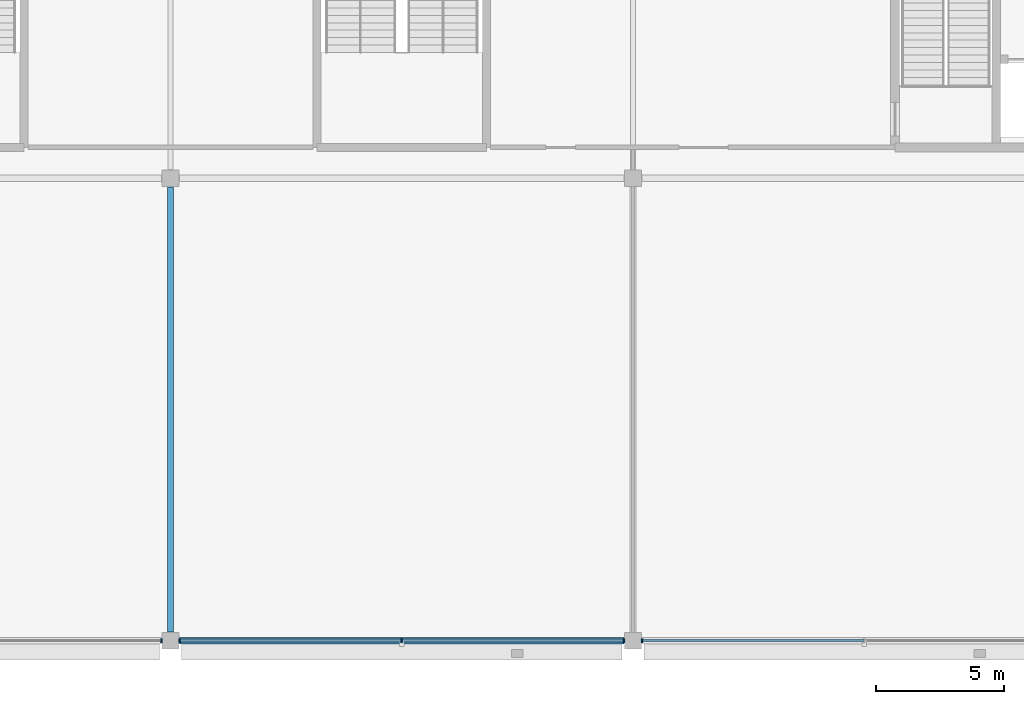
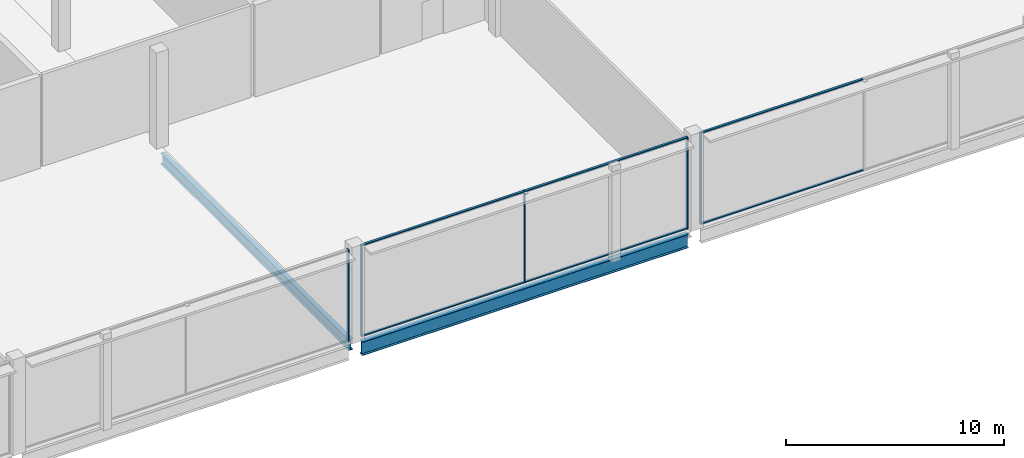
# One storey, part 21 of 113: 11 members, 2 beams, 3 elements without a shape of their own.
"""IFC4 building model written with IfcOpenShell, lengths in metres."""

from ifc_helpers import new_model, si_unit, direction, frame, origin, origin_2d, place, context, subcontext, project, spatial, rectangle, i_section, extrude, material, layer, layer_set, material_profile, profile_set, type_object, element, aggregate, save


model = new_model("IFC4")

# Units and contexts
model_context = context("Model", 3, precision=1e-05, world=origin(), true_north=direction((0.0, 1.0)))
body_context = subcontext(model_context, "Body", "Model", "MODEL_VIEW")
ifc_project = project(units=[si_unit("LENGTHUNIT", "METRE"), si_unit("AREAUNIT", "SQUARE_METRE"), si_unit("VOLUMEUNIT", "CUBIC_METRE"), si_unit("PLANEANGLEUNIT", "RADIAN"), si_unit("MASSUNIT", "GRAM", prefix="KILO")], contexts=[model_context])

# Site, building, storey
site_placement = place(None, origin())
site = spatial("IfcSite", under=ifc_project, at=site_placement, CompositionType="ELEMENT")
building_placement = place(site_placement, origin())
building = spatial("IfcBuilding", under=site, at=building_placement, Name="Kisiwana Market Hall", CompositionType="ELEMENT")
storey_placement = place(building_placement, frame((0.0, 0.0, 6.0)))
storey = spatial("IfcBuildingStorey", under=building, at=storey_placement, Name="L01", CompositionType="ELEMENT", Elevation=6.0)

# Beams
ifc_material_1 = material(Name="Steel S355", Category="steel")
ifc_material_profile_1 = material_profile(ifc_material_1, i_section(OverallWidth=0.22900390625, OverallDepth=0.6123046875, WebThickness=0.011962890625, FlangeThickness=0.01953125, at=origin_2d()), Name="UB 610x229x125")
ifc_profile_set_1 = profile_set([ifc_material_profile_1], Name="Steel S355")
beam_type_1 = type_object("IfcBeamType", Name="BM-GIRD-UB610H", PredefinedType="BEAM", material=ifc_profile_set_1)
beam_1_placement = place(storey_placement, frame((99.0, 0.345947265625, -0.55615234375), z_axis=(0.0, 1.0, 0.0), x_axis=(-1.0, 0.0, 0.0)))
element("IfcBeam", 1, at=beam_1_placement, inside=storey, type_object=beam_type_1, Name="Primary girder B-0373", PredefinedType="BEAM", context=body_context, shape_type="SweptSolid", body=[
    extrude(i_section(OverallWidth=0.22900390625, OverallDepth=0.6123046875, WebThickness=0.011962890625, FlangeThickness=0.01953125, at=origin_2d()), origin(), (0.0, 0.0, 1.0), 17.30810546875),
])
ifc_material_2 = material(Name="Steel S355", Category="steel")
ifc_material_profile_2 = material_profile(ifc_material_2, i_section(OverallWidth=0.2666015625, OverallDepth=0.76220703125, WebThickness=0.014404296875, FlangeThickness=0.021484375, at=origin_2d()), Name="UB 762x267x173")
ifc_profile_set_2 = profile_set([ifc_material_profile_2], Name="Steel S355")
beam_type_2 = type_object("IfcBeamType", Name="BM-GIRD-UB762", PredefinedType="BEAM", material=ifc_profile_set_2)
beam_2_placement = place(storey_placement, frame((99.345947265625, 0.0, -0.631103515625), z_axis=(1.0, 0.0, 0.0), x_axis=(0.0, 1.0, 0.0)))
element("IfcBeam", 2, at=beam_2_placement, inside=storey, type_object=beam_type_2, Name="Floor beam B-0456", PredefinedType="BEAM", context=body_context, shape_type="SweptSolid", body=[
    extrude(i_section(OverallWidth=0.2666015625, OverallDepth=0.76220703125, WebThickness=0.014404296875, FlangeThickness=0.021484375, at=origin_2d()), origin(), (0.0, 0.0, 1.0), 17.30810546875),
])

# Curtain wall, member
ifc_material_3 = material(Name="Double-glazed solar-control low-E IGU", Category="glass")
ifc_layer = layer(ifc_material_3, 0.159912109375)
ifc_layer_set = layer_set([ifc_layer], Name="CW-FC-S-7600")
curtain_wall_type = type_object("IfcCurtainWallType", Name="CW-FC-S-7600", PredefinedType="USERDEFINED", material=ifc_layer_set)
curtain_wall_1_placement = place(storey_placement, origin())
curtain_wall_1 = element("IfcCurtainWall", 3, at=curtain_wall_1_placement, inside=storey, type_object=curtain_wall_type, Name="Unitised curtain wall CW-010 (L01)", ObjectType="UNITISED CURTAIN WALL", PredefinedType="USERDEFINED")
ifc_material_4 = material(Name="Aluminium alloy 6063-T6", Category="aluminium")
ifc_material_profile_3 = material_profile(ifc_material_4, rectangle(XDim=0.06005859375, YDim=0.159912109375, at=origin_2d()), Name="ALU MULLION 60x160")
ifc_profile_set_3 = profile_set([ifc_material_profile_3], Name="Aluminium alloy 6063-T6")
member_type_1 = type_object("IfcMemberType", Name="CW-MULL-60x160", PredefinedType="MULLION", material=ifc_profile_set_3)
member_1_placement = place(storey_placement, frame((98.64501953125, 0.0, 0.0), z_axis=(0.0, 0.0, 1.0), x_axis=(1.0, 0.0, 0.0)))
member_1 = element("IfcMember", 4, at=member_1_placement, type_object=member_type_1, Name="CW-010 mullion 3", PredefinedType="MULLION", context=body_context, shape_type="SweptSolid", body=[
    extrude(rectangle(XDim=0.06005859375, YDim=0.159912109375, at=origin_2d()), origin(), (0.0, 0.0, 1.0), 5.14990234375),
])
aggregate(curtain_wall_1, [member_1])

# Curtain wall, members
curtain_wall_2_placement = place(storey_placement, origin())
curtain_wall_2 = element("IfcCurtainWall", 5, at=curtain_wall_2_placement, inside=storey, type_object=curtain_wall_type, Name="Unitised curtain wall CW-011 (L01)", ObjectType="UNITISED CURTAIN WALL", PredefinedType="USERDEFINED")
member_2_placement = place(storey_placement, frame((99.35498046875, 0.0, 0.0), z_axis=(0.0, 0.0, 1.0), x_axis=(1.0, 0.0, 0.0)))
member_2 = element("IfcMember", 6, at=member_2_placement, type_object=member_type_1, Name="CW-011 mullion 1", PredefinedType="MULLION", context=body_context, shape_type="SweptSolid", body=[
    extrude(rectangle(XDim=0.06005859375, YDim=0.159912109375, at=origin_2d()), origin(), (0.0, 0.0, 1.0), 5.14990234375),
])
member_3_placement = place(storey_placement, frame((108.0, 0.0, 0.0), z_axis=(0.0, 0.0, 1.0), x_axis=(1.0, 0.0, 0.0)))
member_3 = element("IfcMember", 7, at=member_3_placement, type_object=member_type_1, Name="CW-011 mullion 2", PredefinedType="MULLION", context=body_context, shape_type="SweptSolid", body=[
    extrude(rectangle(XDim=0.06005859375, YDim=0.159912109375, at=origin_2d()), origin(), (0.0, 0.0, 1.0), 5.14990234375),
])
member_4_placement = place(storey_placement, frame((116.64501953125, 0.0, 0.0), z_axis=(0.0, 0.0, 1.0), x_axis=(1.0, 0.0, 0.0)))
member_4 = element("IfcMember", 8, at=member_4_placement, type_object=member_type_1, Name="CW-011 mullion 3", PredefinedType="MULLION", context=body_context, shape_type="SweptSolid", body=[
    extrude(rectangle(XDim=0.06005859375, YDim=0.159912109375, at=origin_2d()), origin(), (0.0, 0.0, 1.0), 5.14990234375),
])

# Curtain wall, member
curtain_wall_3_placement = place(storey_placement, origin())
curtain_wall_3 = element("IfcCurtainWall", 9, at=curtain_wall_3_placement, inside=storey, type_object=curtain_wall_type, Name="Unitised curtain wall CW-012 (L01)", ObjectType="UNITISED CURTAIN WALL", PredefinedType="USERDEFINED")
member_5_placement = place(storey_placement, frame((117.35498046875, 0.0, 0.0), z_axis=(0.0, 0.0, 1.0), x_axis=(1.0, 0.0, 0.0)))
member_5 = element("IfcMember", 10, at=member_5_placement, type_object=member_type_1, Name="CW-012 mullion 1", PredefinedType="MULLION", context=body_context, shape_type="SweptSolid", body=[
    extrude(rectangle(XDim=0.06005859375, YDim=0.159912109375, at=origin_2d()), origin(), (0.0, 0.0, 1.0), 5.14990234375),
])

# Member
ifc_material_5 = material(Name="Aluminium alloy 6063-T6", Category="aluminium")
ifc_material_profile_4 = material_profile(ifc_material_5, rectangle(XDim=0.1201171875, YDim=0.06005859375, at=origin_2d()), Name="ALU TRANSOM 60x120")
ifc_profile_set_4 = profile_set([ifc_material_profile_4], Name="Aluminium alloy 6063-T6")
member_type_2 = type_object("IfcMemberType", Name="CW-TRAN-60x120", PredefinedType="USERDEFINED", material=ifc_profile_set_4)
member_6_placement = place(storey_placement, frame((99.385009765625, 0.0, 0.030029296875), z_axis=(1.0, 0.0, 0.0), x_axis=(0.0, 1.0, 0.0)))
member_6 = element("IfcMember", 11, at=member_6_placement, type_object=member_type_2, Name="CW-011 transom 1.1", ObjectType="TRANSOM", PredefinedType="USERDEFINED", context=body_context, shape_type="SweptSolid", body=[
    extrude(rectangle(XDim=0.1201171875, YDim=0.06005859375, at=origin_2d()), origin(), (0.0, 0.0, 1.0), 8.5849609375),
])

member_7_placement = place(storey_placement, frame((99.385009765625, 0.0, 5.1201171875), z_axis=(1.0, 0.0, 0.0), x_axis=(0.0, 1.0, 0.0)))
member_7 = element("IfcMember", 12, at=member_7_placement, type_object=member_type_2, Name="CW-011 transom 1.2", ObjectType="TRANSOM", PredefinedType="USERDEFINED", context=body_context, shape_type="SweptSolid", body=[
    extrude(rectangle(XDim=0.1201171875, YDim=0.06005859375, at=origin_2d()), origin(), (0.0, 0.0, 1.0), 8.5849609375),
])

member_8_placement = place(storey_placement, frame((108.030029296875, 0.0, 0.030029296875), z_axis=(1.0, 0.0, 0.0), x_axis=(0.0, 1.0, 0.0)))
member_8 = element("IfcMember", 13, at=member_8_placement, type_object=member_type_2, Name="CW-011 transom 2.1", ObjectType="TRANSOM", PredefinedType="USERDEFINED", context=body_context, shape_type="SweptSolid", body=[
    extrude(rectangle(XDim=0.1201171875, YDim=0.06005859375, at=origin_2d()), origin(), (0.0, 0.0, 1.0), 8.5849609375),
])

member_9_placement = place(storey_placement, frame((108.030029296875, 0.0, 5.1201171875), z_axis=(1.0, 0.0, 0.0), x_axis=(0.0, 1.0, 0.0)))
member_9 = element("IfcMember", 14, at=member_9_placement, type_object=member_type_2, Name="CW-011 transom 2.2", ObjectType="TRANSOM", PredefinedType="USERDEFINED", context=body_context, shape_type="SweptSolid", body=[
    extrude(rectangle(XDim=0.1201171875, YDim=0.06005859375, at=origin_2d()), origin(), (0.0, 0.0, 1.0), 8.5849609375),
])

aggregate(curtain_wall_2, [member_2, member_3, member_4, member_6, member_7, member_8, member_9])

member_10_placement = place(storey_placement, frame((117.385009765625, 0.0, 0.030029296875), z_axis=(1.0, 0.0, 0.0), x_axis=(0.0, 1.0, 0.0)))
member_10 = element("IfcMember", 15, at=member_10_placement, type_object=member_type_2, Name="CW-012 transom 1.1", ObjectType="TRANSOM", PredefinedType="USERDEFINED", context=body_context, shape_type="SweptSolid", body=[
    extrude(rectangle(XDim=0.1201171875, YDim=0.06005859375, at=origin_2d()), origin(), (0.0, 0.0, 1.0), 8.5849609375),
])

member_11_placement = place(storey_placement, frame((117.385009765625, 0.0, 5.1201171875), z_axis=(1.0, 0.0, 0.0), x_axis=(0.0, 1.0, 0.0)))
member_11 = element("IfcMember", 16, at=member_11_placement, type_object=member_type_2, Name="CW-012 transom 1.2", ObjectType="TRANSOM", PredefinedType="USERDEFINED", context=body_context, shape_type="SweptSolid", body=[
    extrude(rectangle(XDim=0.1201171875, YDim=0.06005859375, at=origin_2d()), origin(), (0.0, 0.0, 1.0), 8.5849609375),
])

aggregate(curtain_wall_3, [member_5, member_10, member_11])

save(model, "model.ifc")
